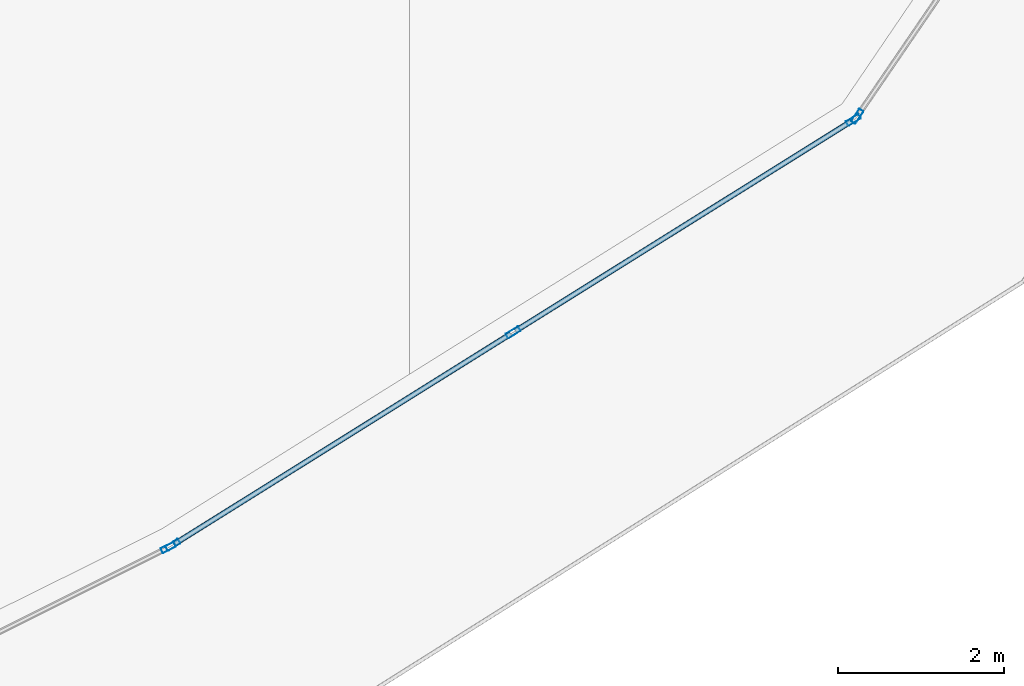
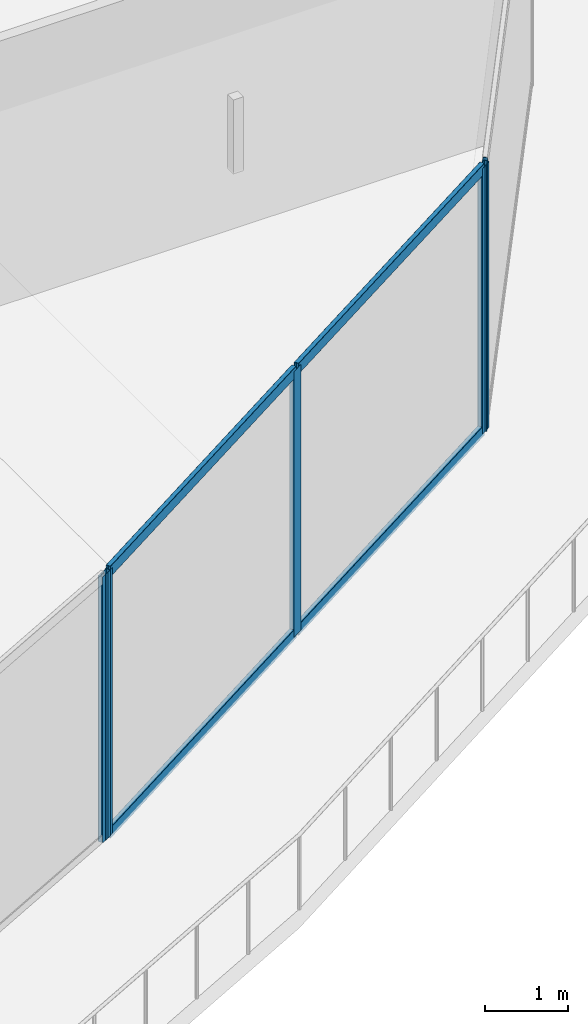
# One storey, part 10 of 45: 9 members, 3 elements without a shape of their own.
"""IFC4 building model written with IfcOpenShell, lengths in metres."""

from ifc_helpers import new_model, si_unit, direction, frame, origin, origin_2d, place, context, subcontext, project, spatial, hollow_rectangle, extrude, material, layer, layer_set, material_profile, profile_set, type_object, element, aggregate, save


model = new_model("IFC4")

# Units and contexts
model_context = context("Model", 3, precision=1e-05, world=origin(), true_north=direction((0.0, 1.0)))
body_context = subcontext(model_context, "Body", "Model", "MODEL_VIEW")
ifc_project = project(units=[si_unit("LENGTHUNIT", "METRE"), si_unit("AREAUNIT", "SQUARE_METRE"), si_unit("VOLUMEUNIT", "CUBIC_METRE"), si_unit("PLANEANGLEUNIT", "RADIAN"), si_unit("MASSUNIT", "GRAM", prefix="KILO")], contexts=[model_context])

# Site, building, storey
site_placement = place(None, origin())
site = spatial("IfcSite", under=ifc_project, at=site_placement, CompositionType="ELEMENT")
building_placement = place(site_placement, origin())
building = spatial("IfcBuilding", under=site, at=building_placement, Name="Qorvath Tower", CompositionType="ELEMENT")
storey_placement = place(building_placement, frame((0.0, 0.0, 66.0)))
storey = spatial("IfcBuildingStorey", under=building, at=storey_placement, Name="L14", CompositionType="ELEMENT", Elevation=66.0)

# Curtain wall, member
ifc_material_1 = material(Name="Anodised aluminium and triple low-E glass", Category="aluminium")
ifc_layer = layer(ifc_material_1, 0.179931640625)
ifc_layer_set = layer_set([ifc_layer], Name="CW-SYS-2")
curtain_wall_type = type_object("IfcCurtainWallType", Name="CW-SYS-2", PredefinedType="NOTDEFINED", material=ifc_layer_set)
curtain_wall_1_placement = place(storey_placement, origin())
curtain_wall_1 = element("IfcCurtainWall", 1, at=curtain_wall_1_placement, inside=storey, type_object=curtain_wall_type, Name="Curtain Wall CW-2 CW-T-L14-3.1", PredefinedType="NOTDEFINED")
ifc_material_2 = material(Name="Anodised aluminium 6063-T6", Category="aluminium")
ifc_material_profile_1 = material_profile(ifc_material_2, hollow_rectangle(XDim=0.06494140625, YDim=0.179931640625, WallThickness=0.00341796875, InnerFilletRadius=0.00341796875, OuterFilletRadius=0.007080078125, at=origin_2d()), Name="CWM 180x65")
ifc_profile_set_1 = profile_set([ifc_material_profile_1], Name="Anodised aluminium 6063-T6")
member_type_1 = type_object("IfcMemberType", Name="CWM-180", PredefinedType="MULLION", material=ifc_profile_set_1)
member_1_placement = place(storey_placement, frame((-10.5361328125, -30.225830078125, 0.0), z_axis=(0.0, 0.0, 1.0), x_axis=(-0.447221292931, 0.894423342243, 0.0)))
member_1 = element("IfcMember", 2, at=member_1_placement, type_object=member_type_1, Name="CW-2 mullion 2", PredefinedType="MULLION", context=body_context, shape_type="SweptSolid", body=[
    extrude(hollow_rectangle(XDim=0.06494140625, YDim=0.179931640625, WallThickness=0.00341796875, InnerFilletRadius=0.00341796875, OuterFilletRadius=0.007080078125, at=origin_2d()), origin(), (0.0, 0.0, 1.0), 3.919921875),
])
aggregate(curtain_wall_1, [member_1])

# Curtain wall, members
curtain_wall_2_placement = place(storey_placement, origin())
curtain_wall_2 = element("IfcCurtainWall", 3, at=curtain_wall_2_placement, inside=storey, type_object=curtain_wall_type, Name="Curtain Wall CW-2 CW-T-L14-4.1", PredefinedType="NOTDEFINED")
member_2_placement = place(storey_placement, frame((-10.4794921875, -30.194091796875, 0.0), z_axis=(0.0, 0.0, 1.0), x_axis=(-0.529686145055, 0.848193720642, 0.0)))
member_2 = element("IfcMember", 4, at=member_2_placement, type_object=member_type_1, Name="CW-2 mullion 1", PredefinedType="MULLION", context=body_context, shape_type="SweptSolid", body=[
    extrude(hollow_rectangle(XDim=0.06494140625, YDim=0.179931640625, WallThickness=0.00341796875, InnerFilletRadius=0.00341796875, OuterFilletRadius=0.007080078125, at=origin_2d()), origin(), (0.0, 0.0, 1.0), 3.919921875),
])
member_3_placement = place(storey_placement, frame((-6.375244140625, -27.630859375, 0.0), z_axis=(0.0, 0.0, 1.0), x_axis=(-0.529686145055, 0.848193720642, 0.0)))
member_3 = element("IfcMember", 5, at=member_3_placement, type_object=member_type_1, Name="CW-2 mullion 2", PredefinedType="MULLION", context=body_context, shape_type="SweptSolid", body=[
    extrude(hollow_rectangle(XDim=0.06494140625, YDim=0.179931640625, WallThickness=0.00341796875, InnerFilletRadius=0.00341796875, OuterFilletRadius=0.007080078125, at=origin_2d()), origin(), (0.0, 0.0, 1.0), 3.919921875),
])
member_4_placement = place(storey_placement, frame((-2.270751953125, -25.067626953125, 0.0), z_axis=(0.0, 0.0, 1.0), x_axis=(-0.529686145055, 0.848193720642, 0.0)))
member_4 = element("IfcMember", 6, at=member_4_placement, type_object=member_type_1, Name="CW-2 mullion 3", PredefinedType="MULLION", context=body_context, shape_type="SweptSolid", body=[
    extrude(hollow_rectangle(XDim=0.06494140625, YDim=0.179931640625, WallThickness=0.00341796875, InnerFilletRadius=0.00341796875, OuterFilletRadius=0.007080078125, at=origin_2d()), origin(), (0.0, 0.0, 1.0), 3.919921875),
])

# Curtain wall, member
curtain_wall_3_placement = place(storey_placement, origin())
curtain_wall_3 = element("IfcCurtainWall", 7, at=curtain_wall_3_placement, inside=storey, type_object=curtain_wall_type, Name="Curtain Wall CW-2 CW-T-L14-5.1", PredefinedType="NOTDEFINED")
member_5_placement = place(storey_placement, frame((-2.224853515625, -25.023681640625, 0.0), z_axis=(0.0, 0.0, 1.0), x_axis=(-0.825792265854, 0.563974408689, 0.0)))
member_5 = element("IfcMember", 8, at=member_5_placement, type_object=member_type_1, Name="CW-2 mullion 1", PredefinedType="MULLION", context=body_context, shape_type="SweptSolid", body=[
    extrude(hollow_rectangle(XDim=0.06494140625, YDim=0.179931640625, WallThickness=0.00341796875, InnerFilletRadius=0.00341796875, OuterFilletRadius=0.007080078125, at=origin_2d()), origin(), (0.0, 0.0, 1.0), 3.919921875),
])
aggregate(curtain_wall_3, [member_5])

# Member
ifc_material_3 = material(Name="Anodised aluminium 6063-T6", Category="aluminium")
ifc_material_profile_2 = material_profile(ifc_material_3, hollow_rectangle(XDim=0.06494140625, YDim=0.159912109375, WallThickness=0.00341796875, InnerFilletRadius=0.00341796875, OuterFilletRadius=0.007080078125, at=origin_2d()), Name="CWT 160x65")
ifc_profile_set_2 = profile_set([ifc_material_profile_2], Name="Anodised aluminium 6063-T6")
member_type_2 = type_object("IfcMemberType", Name="CWT-160", PredefinedType="USERDEFINED", material=ifc_profile_set_2)
member_6_placement = place(storey_placement, frame((-10.451904296875, -30.1767578125, 0.032470703125), z_axis=(0.848173516131, 0.529718497443, 0.0), x_axis=(-0.529718497443, 0.848173516131, 0.0)))
member_6 = element("IfcMember", 9, at=member_6_placement, type_object=member_type_2, Name="CW-2 transom 1.1", ObjectType="TRANSOM", PredefinedType="USERDEFINED", context=body_context, shape_type="SweptSolid", body=[
    extrude(hollow_rectangle(XDim=0.06494140625, YDim=0.159912109375, WallThickness=0.00341796875, InnerFilletRadius=0.00341796875, OuterFilletRadius=0.007080078125, at=origin_2d()), origin(), (0.0, 0.0, 1.0), 4.77392578125),
])

member_7_placement = place(storey_placement, frame((-10.451904296875, -30.1767578125, 3.887451171875), z_axis=(0.848173516131, 0.529718497443, 0.0), x_axis=(-0.529718497443, 0.848173516131, 0.0)))
member_7 = element("IfcMember", 10, at=member_7_placement, type_object=member_type_2, Name="CW-2 transom 1.2", ObjectType="TRANSOM", PredefinedType="USERDEFINED", context=body_context, shape_type="SweptSolid", body=[
    extrude(hollow_rectangle(XDim=0.06494140625, YDim=0.159912109375, WallThickness=0.00341796875, InnerFilletRadius=0.00341796875, OuterFilletRadius=0.007080078125, at=origin_2d()), origin(), (0.0, 0.0, 1.0), 4.77392578125),
])

member_8_placement = place(storey_placement, frame((-6.34765625, -27.613525390625, 0.032470703125), z_axis=(0.848210840974, 0.529658729046, 0.0), x_axis=(-0.529658729046, 0.848210840974, 0.0)))
member_8 = element("IfcMember", 11, at=member_8_placement, type_object=member_type_2, Name="CW-2 transom 2.1", ObjectType="TRANSOM", PredefinedType="USERDEFINED", context=body_context, shape_type="SweptSolid", body=[
    extrude(hollow_rectangle(XDim=0.06494140625, YDim=0.159912109375, WallThickness=0.00341796875, InnerFilletRadius=0.00341796875, OuterFilletRadius=0.007080078125, at=origin_2d()), origin(), (0.0, 0.0, 1.0), 4.77392578125),
])

member_9_placement = place(storey_placement, frame((-6.34765625, -27.613525390625, 3.887451171875), z_axis=(0.848210840974, 0.529658729046, 0.0), x_axis=(-0.529658729046, 0.848210840974, 0.0)))
member_9 = element("IfcMember", 12, at=member_9_placement, type_object=member_type_2, Name="CW-2 transom 2.2", ObjectType="TRANSOM", PredefinedType="USERDEFINED", context=body_context, shape_type="SweptSolid", body=[
    extrude(hollow_rectangle(XDim=0.06494140625, YDim=0.159912109375, WallThickness=0.00341796875, InnerFilletRadius=0.00341796875, OuterFilletRadius=0.007080078125, at=origin_2d()), origin(), (0.0, 0.0, 1.0), 4.77392578125),
])

aggregate(curtain_wall_2, [member_2, member_3, member_4, member_6, member_7, member_8, member_9])

save(model, "model.ifc")
